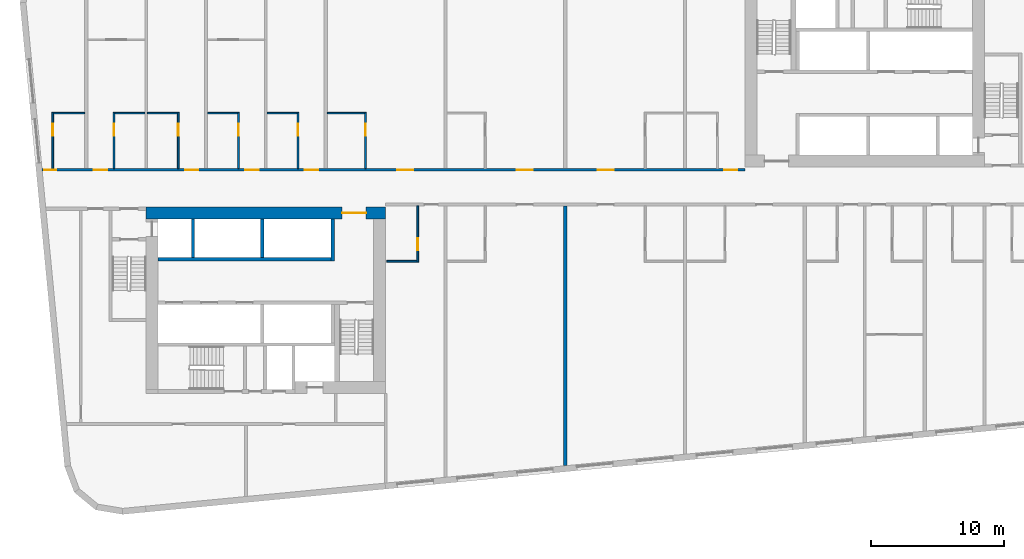
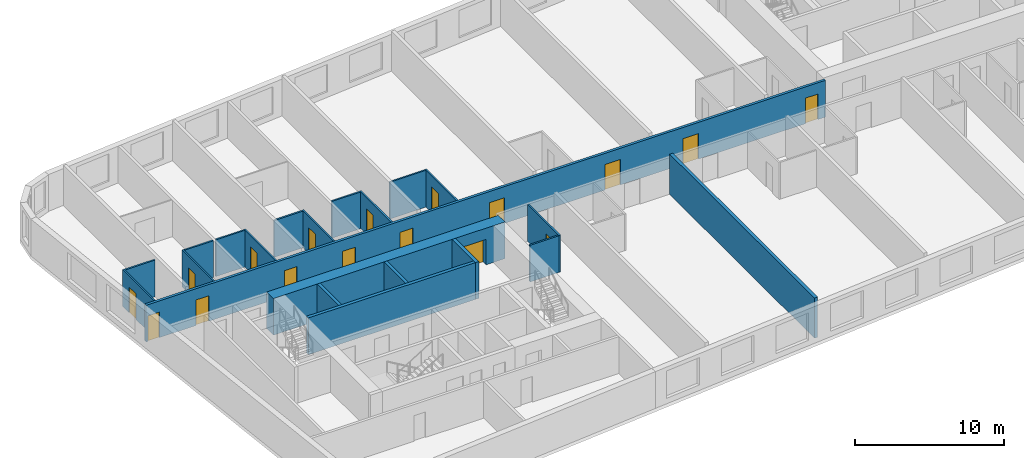
# One storey, part 3 of 12: 21 walls, 17 doors, 17 openings.
"""IFC4 building model written with IfcOpenShell, lengths in metres."""

from ifc_helpers import new_model, si_unit, direction, frame, frame_2d, origin, place, context, subcontext, project, spatial, rectangle, extrude, material, layer, layer_set, type_object, element, fill, save


model = new_model("IFC4")

# Units and contexts
model_context = context("Model", 3, precision=1e-05, world=origin(), true_north=direction((0.0, 1.0)))
body_context = subcontext(model_context, "Body", "Model", "MODEL_VIEW")
ifc_project = project(units=[si_unit("LENGTHUNIT", "METRE"), si_unit("AREAUNIT", "SQUARE_METRE"), si_unit("VOLUMEUNIT", "CUBIC_METRE"), si_unit("PLANEANGLEUNIT", "RADIAN"), si_unit("MASSUNIT", "GRAM", prefix="KILO")], contexts=[model_context])

# Site, building, storey
site_placement = place(None, origin())
site = spatial("IfcSite", under=ifc_project, at=site_placement, CompositionType="ELEMENT")
building_placement = place(site_placement, origin())
building = spatial("IfcBuilding", under=site, at=building_placement, Name="Kajstack Hotel Tower", CompositionType="ELEMENT")
storey_placement = place(building_placement, frame((0.0, 0.0, 124.0)))
storey = spatial("IfcBuildingStorey", under=building, at=storey_placement, Name="L27", CompositionType="ELEMENT", Elevation=124.0)

# Wall, opening, door
ifc_material_1 = material(Name="Concrete C60/75", Category="concrete")
ifc_layer_1 = layer(ifc_material_1, 0.89990234375)
ifc_layer_set_1 = layer_set([ifc_layer_1], Name="Core wall 900")
wall_type_1 = type_object("IfcWallType", Name="Core wall 900", PredefinedType="SHEAR", material=ifc_layer_set_1)
wall_1_placement = place(storey_placement, frame((-31.5, -1.949951171875, 0.0), z_axis=(0.0, 0.0, 1.0), x_axis=(1.0, 0.0, 0.0)))
wall_1 = element("IfcWall", 1, at=wall_1_placement, inside=storey, type_object=wall_type_1, Name="Core wall W RN", PredefinedType="SHEAR", context=body_context, shape_type="SweptSolid", body=[
    extrude(rectangle(XDim=18.0, YDim=0.89990234375, at=frame_2d((9.0, 0.0))), origin(), (0.0, 0.0, 1.0), 3.02001953125),
])
opening_1_placement = place(wall_1_placement, frame((14.72509765625, 0.0, 0.0)))
opening_1 = element("IfcOpeningElement", 2, at=opening_1_placement, cuts=wall_1, Name="Opening 27W06", PredefinedType="OPENING", context=body_context, shape_type="SweptSolid", body=[
    extrude(rectangle(XDim=1.800048828125, YDim=2.10009765625, at=frame_2d((0.89990234375, 1.050048828125))), frame((0.0, 0.4599609375, 0.0), z_axis=(0.0, -1.0, 0.0), x_axis=(1.0, 0.0, 0.0)), (0.0, 0.0, 1.0), 0.919921875),
])
ifc_material_2 = material(Name="Glazed steel frame, fire-rated glass", Category="steel")
door_type_1 = type_object("IfcDoorType", Name="Lobby double door 1800", OperationType="DOUBLE_DOOR_DOUBLE_SWING", PredefinedType="DOOR", material=ifc_material_2)
door_1_placement = place(opening_1_placement, origin())
door_1 = element("IfcDoor", 3, at=door_1_placement, inside=storey, type_object=door_type_1, Name="Door 27W06", OperationType="DOUBLE_DOOR_DOUBLE_SWING", OverallHeight=2.10009765625, OverallWidth=1.800048828125, PredefinedType="DOOR", context=body_context, shape_type="SweptSolid", body=[
    extrude(rectangle(XDim=1.800048828125, YDim=2.10009765625, at=frame_2d((0.89990234375, 1.050048828125))), frame((0.0, 0.02490234375, 0.0), z_axis=(0.0, -1.0, 0.0), x_axis=(1.0, 0.0, 0.0)), (0.0, 0.0, 1.0), 0.050048828125),
])
fill(opening_1, door_1)

# Wall, openings, doors
ifc_material_3 = material(Name="Gypsum board on steel studs, mineral wool", Category="steel")
ifc_layer_2 = layer(ifc_material_3, 0.199951171875)
ifc_layer_set_2 = layer_set([ifc_layer_2], Name="Corridor wall 200")
wall_type_2 = type_object("IfcWallType", Name="Corridor wall 200", PredefinedType="PARTITIONING", material=ifc_layer_set_2)
wall_2_placement = place(storey_placement, frame((-39.31591796875, 1.300048828125, 0.0), z_axis=(0.0, 0.0, 1.0), x_axis=(1.0, 0.0, 0.0)))
wall_2 = element("IfcWall", 4, at=wall_2_placement, inside=storey, type_object=wall_type_2, Name="G-wall-L27-003", PredefinedType="PARTITIONING", context=body_context, shape_type="SweptSolid", body=[
    extrude(rectangle(XDim=52.81591796875, YDim=0.199951171875, at=frame_2d((26.407958984375, 0.0))), origin(), (0.0, 0.0, 1.0), 3.02001953125),
])
opening_2_placement = place(wall_2_placement, frame((0.14990234375, 0.0, 0.0)))
opening_2 = element("IfcOpeningElement", 5, at=opening_2_placement, cuts=wall_2, Name="Opening 27001", PredefinedType="OPENING", context=body_context, shape_type="SweptSolid", body=[
    extrude(rectangle(XDim=0.89990234375, YDim=2.10009765625, at=frame_2d((0.449951171875, 1.050048828125))), frame((0.0, 0.10986328125, 0.0), z_axis=(0.0, -1.0, 0.0), x_axis=(1.0, 0.0, 0.0)), (0.0, 0.0, 1.0), 0.219970703125),
])
opening_3_placement = place(wall_2_placement, frame((3.89111328125, 0.0, 0.0)))
opening_3 = element("IfcOpeningElement", 6, at=opening_3_placement, cuts=wall_2, Name="Opening 27003", PredefinedType="OPENING", context=body_context, shape_type="SweptSolid", body=[
    extrude(rectangle(XDim=1.0, YDim=2.10009765625, at=frame_2d((0.5, 1.050048828125))), frame((0.0, 0.10986328125, 0.0), z_axis=(0.0, -1.0, 0.0), x_axis=(1.0, 0.0, 0.0)), (0.0, 0.0, 1.0), 0.219970703125),
])
opening_4_placement = place(wall_2_placement, frame((10.740966796875, 0.0, 0.0)))
opening_4 = element("IfcOpeningElement", 7, at=opening_4_placement, cuts=wall_2, Name="Opening 27006", PredefinedType="OPENING", context=body_context, shape_type="SweptSolid", body=[
    extrude(rectangle(XDim=1.0, YDim=2.10009765625, at=frame_2d((0.5, 1.050048828125))), frame((0.0, 0.10986328125, 0.0), z_axis=(0.0, -1.0, 0.0), x_axis=(1.0, 0.0, 0.0)), (0.0, 0.0, 1.0), 0.219970703125),
])
opening_5_placement = place(wall_2_placement, frame((15.26611328125, 0.0, 0.0)))
opening_5 = element("IfcOpeningElement", 8, at=opening_5_placement, cuts=wall_2, Name="Opening 27008", PredefinedType="OPENING", context=body_context, shape_type="SweptSolid", body=[
    extrude(rectangle(XDim=1.0, YDim=2.10009765625, at=frame_2d((0.5, 1.050048828125))), frame((0.0, 0.10986328125, 0.0), z_axis=(0.0, -1.0, 0.0), x_axis=(1.0, 0.0, 0.0)), (0.0, 0.0, 1.0), 0.219970703125),
])
opening_6_placement = place(wall_2_placement, frame((19.740966796875, 0.0, 0.0)))
opening_6 = element("IfcOpeningElement", 9, at=opening_6_placement, cuts=wall_2, Name="Opening 27011", PredefinedType="OPENING", context=body_context, shape_type="SweptSolid", body=[
    extrude(rectangle(XDim=1.0, YDim=2.10009765625, at=frame_2d((0.5, 1.050048828125))), frame((0.0, 0.10986328125, 0.0), z_axis=(0.0, -1.0, 0.0), x_axis=(1.0, 0.0, 0.0)), (0.0, 0.0, 1.0), 0.219970703125),
])
opening_7_placement = place(wall_2_placement, frame((26.677978515625, 0.0, 0.0)))
opening_7 = element("IfcOpeningElement", 10, at=opening_7_placement, cuts=wall_2, Name="Opening 27013", PredefinedType="OPENING", context=body_context, shape_type="SweptSolid", body=[
    extrude(rectangle(XDim=1.199951171875, YDim=2.10009765625, at=frame_2d((0.60009765625, 1.050048828125))), frame((0.0, 0.10986328125, 0.0), z_axis=(0.0, -1.0, 0.0), x_axis=(1.0, 0.0, 0.0)), (0.0, 0.0, 1.0), 0.219970703125),
])
opening_8_placement = place(wall_2_placement, frame((35.677978515625, 0.0, 0.0)))
opening_8 = element("IfcOpeningElement", 11, at=opening_8_placement, cuts=wall_2, Name="Opening 27015", PredefinedType="OPENING", context=body_context, shape_type="SweptSolid", body=[
    extrude(rectangle(XDim=1.199951171875, YDim=2.10009765625, at=frame_2d((0.60009765625, 1.050048828125))), frame((0.0, 0.10986328125, 0.0), z_axis=(0.0, -1.0, 0.0), x_axis=(1.0, 0.0, 0.0)), (0.0, 0.0, 1.0), 0.219970703125),
])
opening_9_placement = place(wall_2_placement, frame((41.75390625, 0.0, 0.0)))
opening_9 = element("IfcOpeningElement", 12, at=opening_9_placement, cuts=wall_2, Name="Opening 27017", PredefinedType="OPENING", context=body_context, shape_type="SweptSolid", body=[
    extrude(rectangle(XDim=1.199951171875, YDim=2.10009765625, at=frame_2d((0.60009765625, 1.050048828125))), frame((0.0, 0.10986328125, 0.0), z_axis=(0.0, -1.0, 0.0), x_axis=(1.0, 0.0, 0.0)), (0.0, 0.0, 1.0), 0.219970703125),
])
opening_10_placement = place(wall_2_placement, frame((51.240966796875, 0.0, 0.0)))
opening_10 = element("IfcOpeningElement", 13, at=opening_10_placement, cuts=wall_2, Name="Opening 27019", PredefinedType="OPENING", context=body_context, shape_type="SweptSolid", body=[
    extrude(rectangle(XDim=1.0, YDim=2.10009765625, at=frame_2d((0.5, 1.050048828125))), frame((0.0, 0.10986328125, 0.0), z_axis=(0.0, -1.0, 0.0), x_axis=(1.0, 0.0, 0.0)), (0.0, 0.0, 1.0), 0.219970703125),
])
ifc_material_4 = material(Name="Oak veneer on timber core, fire-rated leaf", Category="wood")
door_type_2 = type_object("IfcDoorType", Name="Flat entrance door 1000", OperationType="SINGLE_SWING_LEFT", PredefinedType="DOOR", material=ifc_material_4)
door_2_placement = place(opening_3_placement, origin())
door_2 = element("IfcDoor", 14, at=door_2_placement, inside=storey, type_object=door_type_2, Name="G-door-L27-03", OperationType="SINGLE_SWING_LEFT", OverallHeight=2.10009765625, OverallWidth=1.0, PredefinedType="DOOR", context=body_context, shape_type="SweptSolid", body=[
    extrude(rectangle(XDim=1.0, YDim=2.10009765625, at=frame_2d((0.5, 1.050048828125))), frame((0.0, 0.02490234375, 0.0), z_axis=(0.0, -1.0, 0.0), x_axis=(1.0, 0.0, 0.0)), (0.0, 0.0, 1.0), 0.050048828125),
])
fill(opening_3, door_2)
door_3_placement = place(opening_4_placement, origin())
door_3 = element("IfcDoor", 15, at=door_3_placement, inside=storey, type_object=door_type_2, Name="G-door-L27-06", OperationType="SINGLE_SWING_LEFT", OverallHeight=2.10009765625, OverallWidth=1.0, PredefinedType="DOOR", context=body_context, shape_type="SweptSolid", body=[
    extrude(rectangle(XDim=1.0, YDim=2.10009765625, at=frame_2d((0.5, 1.050048828125))), frame((0.0, 0.02490234375, 0.0), z_axis=(0.0, -1.0, 0.0), x_axis=(1.0, 0.0, 0.0)), (0.0, 0.0, 1.0), 0.050048828125),
])
fill(opening_4, door_3)
door_4_placement = place(opening_5_placement, origin())
door_4 = element("IfcDoor", 16, at=door_4_placement, inside=storey, type_object=door_type_2, Name="G-door-L27-08", OperationType="SINGLE_SWING_RIGHT", OverallHeight=2.10009765625, OverallWidth=1.0, PredefinedType="DOOR", context=body_context, shape_type="SweptSolid", body=[
    extrude(rectangle(XDim=1.0, YDim=2.10009765625, at=frame_2d((0.5, 1.050048828125))), frame((0.0, 0.02490234375, 0.0), z_axis=(0.0, -1.0, 0.0), x_axis=(1.0, 0.0, 0.0)), (0.0, 0.0, 1.0), 0.050048828125),
])
fill(opening_5, door_4)
door_5_placement = place(opening_6_placement, origin())
door_5 = element("IfcDoor", 17, at=door_5_placement, inside=storey, type_object=door_type_2, Name="G-door-L27-11", OperationType="SINGLE_SWING_RIGHT", OverallHeight=2.10009765625, OverallWidth=1.0, PredefinedType="DOOR", context=body_context, shape_type="SweptSolid", body=[
    extrude(rectangle(XDim=1.0, YDim=2.10009765625, at=frame_2d((0.5, 1.050048828125))), frame((0.0, 0.02490234375, 0.0), z_axis=(0.0, -1.0, 0.0), x_axis=(1.0, 0.0, 0.0)), (0.0, 0.0, 1.0), 0.050048828125),
])
fill(opening_6, door_5)
door_6_placement = place(opening_10_placement, origin())
door_6 = element("IfcDoor", 18, at=door_6_placement, inside=storey, type_object=door_type_2, Name="G-door-L27-19", OperationType="SINGLE_SWING_RIGHT", OverallHeight=2.10009765625, OverallWidth=1.0, PredefinedType="DOOR", context=body_context, shape_type="SweptSolid", body=[
    extrude(rectangle(XDim=1.0, YDim=2.10009765625, at=frame_2d((0.5, 1.050048828125))), frame((0.0, 0.02490234375, 0.0), z_axis=(0.0, -1.0, 0.0), x_axis=(1.0, 0.0, 0.0)), (0.0, 0.0, 1.0), 0.050048828125),
])
fill(opening_10, door_6)
door_type_3 = type_object("IfcDoorType", Name="Flat entrance door 1200", OperationType="SINGLE_SWING_LEFT", PredefinedType="DOOR", material=ifc_material_4)
door_7_placement = place(opening_7_placement, origin())
door_7 = element("IfcDoor", 19, at=door_7_placement, inside=storey, type_object=door_type_3, Name="G-door-L27-13", OperationType="SINGLE_SWING_RIGHT", OverallHeight=2.10009765625, OverallWidth=1.199951171875, PredefinedType="DOOR", context=body_context, shape_type="SweptSolid", body=[
    extrude(rectangle(XDim=1.199951171875, YDim=2.10009765625, at=frame_2d((0.60009765625, 1.050048828125))), frame((0.0, 0.02490234375, 0.0), z_axis=(0.0, -1.0, 0.0), x_axis=(1.0, 0.0, 0.0)), (0.0, 0.0, 1.0), 0.050048828125),
])
fill(opening_7, door_7)
door_8_placement = place(opening_8_placement, origin())
door_8 = element("IfcDoor", 20, at=door_8_placement, inside=storey, type_object=door_type_3, Name="G-door-L27-15", OperationType="SINGLE_SWING_LEFT", OverallHeight=2.10009765625, OverallWidth=1.199951171875, PredefinedType="DOOR", context=body_context, shape_type="SweptSolid", body=[
    extrude(rectangle(XDim=1.199951171875, YDim=2.10009765625, at=frame_2d((0.60009765625, 1.050048828125))), frame((0.0, 0.02490234375, 0.0), z_axis=(0.0, -1.0, 0.0), x_axis=(1.0, 0.0, 0.0)), (0.0, 0.0, 1.0), 0.050048828125),
])
fill(opening_8, door_8)
door_9_placement = place(opening_9_placement, origin())
door_9 = element("IfcDoor", 21, at=door_9_placement, inside=storey, type_object=door_type_3, Name="G-door-L27-17", OperationType="SINGLE_SWING_RIGHT", OverallHeight=2.10009765625, OverallWidth=1.199951171875, PredefinedType="DOOR", context=body_context, shape_type="SweptSolid", body=[
    extrude(rectangle(XDim=1.199951171875, YDim=2.10009765625, at=frame_2d((0.60009765625, 1.050048828125))), frame((0.0, 0.02490234375, 0.0), z_axis=(0.0, -1.0, 0.0), x_axis=(1.0, 0.0, 0.0)), (0.0, 0.0, 1.0), 0.050048828125),
])
fill(opening_9, door_9)
ifc_material_5 = material(Name="Painted timber door leaf", Category="wood")
door_type_4 = type_object("IfcDoorType", Name="Room door 900", OperationType="SINGLE_SWING_LEFT", PredefinedType="DOOR", material=ifc_material_5)
door_10_placement = place(opening_2_placement, origin())
door_10 = element("IfcDoor", 22, at=door_10_placement, inside=storey, type_object=door_type_4, Name="G-door-L27-01", OperationType="SINGLE_SWING_LEFT", OverallHeight=2.10009765625, OverallWidth=0.89990234375, PredefinedType="DOOR", context=body_context, shape_type="SweptSolid", body=[
    extrude(rectangle(XDim=0.89990234375, YDim=2.10009765625, at=frame_2d((0.449951171875, 1.050048828125))), frame((0.0, 0.02490234375, 0.0), z_axis=(0.0, -1.0, 0.0), x_axis=(1.0, 0.0, 0.0)), (0.0, 0.0, 1.0), 0.050048828125),
])
fill(opening_2, door_10)

# Wall, opening, door
ifc_material_6 = material(Name="Gypsum board and tiled backer on steel studs", Category="steel")
ifc_layer_3 = layer(ifc_material_6, 0.125)
ifc_layer_set_3 = layer_set([ifc_layer_3], Name="En-suite wall 125")
wall_type_3 = type_object("IfcWallType", Name="En-suite wall 125", PredefinedType="PARTITIONING", material=ifc_layer_set_3)
wall_3_placement = place(storey_placement, frame((-38.51904296875, 1.39990234375, 0.0), z_axis=(0.0, 0.0, 1.0), x_axis=(0.0, 1.0, 0.0)))
wall_3 = element("IfcWall", 23, at=wall_3_placement, inside=storey, type_object=wall_type_3, Name="G-wall-L27-004", PredefinedType="PARTITIONING", context=body_context, shape_type="SweptSolid", body=[
    extrude(rectangle(XDim=4.22509765625, YDim=0.125, at=frame_2d((2.112548828125, 0.0))), origin(), (0.0, 0.0, 1.0), 3.02001953125),
])
opening_11_placement = place(wall_3_placement, frame((2.449951171875, 0.0, 0.0)))
opening_11 = element("IfcOpeningElement", 24, at=opening_11_placement, cuts=wall_3, Name="Opening 27002", PredefinedType="OPENING", context=body_context, shape_type="SweptSolid", body=[
    extrude(rectangle(XDim=0.89990234375, YDim=2.10009765625, at=frame_2d((0.449951171875, 1.050048828125))), frame((0.0, 0.072509765625, 0.0), z_axis=(0.0, -1.0, 0.0), x_axis=(1.0, 0.0, 0.0)), (0.0, 0.0, 1.0), 0.14501953125),
])
door_11_placement = place(opening_11_placement, origin())
door_11 = element("IfcDoor", 25, at=door_11_placement, inside=storey, type_object=door_type_4, Name="G-door-L27-02", OperationType="SINGLE_SWING_RIGHT", OverallHeight=2.10009765625, OverallWidth=0.89990234375, PredefinedType="DOOR", context=body_context, shape_type="SweptSolid", body=[
    extrude(rectangle(XDim=0.89990234375, YDim=2.10009765625, at=frame_2d((0.449951171875, 1.050048828125))), frame((0.0, 0.02490234375, 0.0), z_axis=(0.0, -1.0, 0.0), x_axis=(1.0, 0.0, 0.0)), (0.0, 0.0, 1.0), 0.050048828125),
])
fill(opening_11, door_11)

# Wall
wall_4_placement = place(storey_placement, frame((-38.45703125, 5.56201171875, 0.0), z_axis=(0.0, 0.0, 1.0), x_axis=(1.0, 0.0, 0.0)))
element("IfcWall", 26, at=wall_4_placement, inside=storey, type_object=wall_type_3, Name="G-wall-L27-005", PredefinedType="PARTITIONING", context=body_context, shape_type="SweptSolid", body=[
    extrude(rectangle(XDim=2.33203125, YDim=0.125, at=frame_2d((1.166015625, 0.0))), origin(), (0.0, 0.0, 1.0), 3.02001953125),
])

# Wall, opening, door
wall_5_placement = place(storey_placement, frame((-33.9130859375, 1.39990234375, 0.0), z_axis=(0.0, 0.0, 1.0), x_axis=(0.0, 1.0, 0.0)))
wall_5 = element("IfcWall", 27, at=wall_5_placement, inside=storey, type_object=wall_type_3, Name="G-wall-L27-007", PredefinedType="PARTITIONING", context=body_context, shape_type="SweptSolid", body=[
    extrude(rectangle(XDim=4.22509765625, YDim=0.125, at=frame_2d((2.112548828125, 0.0))), origin(), (0.0, 0.0, 1.0), 3.02001953125),
])
opening_12_placement = place(wall_5_placement, frame((2.449951171875, 0.0, 0.0)))
opening_12 = element("IfcOpeningElement", 28, at=opening_12_placement, cuts=wall_5, Name="Opening 27004", PredefinedType="OPENING", context=body_context, shape_type="SweptSolid", body=[
    extrude(rectangle(XDim=0.89990234375, YDim=2.10009765625, at=frame_2d((0.449951171875, 1.050048828125))), frame((0.0, 0.072509765625, 0.0), z_axis=(0.0, -1.0, 0.0), x_axis=(1.0, 0.0, 0.0)), (0.0, 0.0, 1.0), 0.14501953125),
])
door_12_placement = place(opening_12_placement, origin())
door_12 = element("IfcDoor", 29, at=door_12_placement, inside=storey, type_object=door_type_4, Name="G-door-L27-04", OperationType="SINGLE_SWING_RIGHT", OverallHeight=2.10009765625, OverallWidth=0.89990234375, PredefinedType="DOOR", context=body_context, shape_type="SweptSolid", body=[
    extrude(rectangle(XDim=0.89990234375, YDim=2.10009765625, at=frame_2d((0.449951171875, 1.050048828125))), frame((0.0, 0.02490234375, 0.0), z_axis=(0.0, -1.0, 0.0), x_axis=(1.0, 0.0, 0.0)), (0.0, 0.0, 1.0), 0.050048828125),
])
fill(opening_12, door_12)

# Wall
wall_6_placement = place(storey_placement, frame((-33.85009765625, 5.56201171875, 0.0), z_axis=(0.0, 0.0, 1.0), x_axis=(1.0, 0.0, 0.0)))
element("IfcWall", 30, at=wall_6_placement, inside=storey, type_object=wall_type_3, Name="G-wall-L27-008", PredefinedType="PARTITIONING", context=body_context, shape_type="SweptSolid", body=[
    extrude(rectangle(XDim=2.25, YDim=0.125, at=frame_2d((1.125, 0.0))), origin(), (0.0, 0.0, 1.0), 3.02001953125),
])

# Wall, opening, door
wall_7_placement = place(storey_placement, frame((-29.0869140625, 1.39990234375, 0.0), z_axis=(0.0, 0.0, 1.0), x_axis=(0.0, 1.0, 0.0)))
wall_7 = element("IfcWall", 31, at=wall_7_placement, inside=storey, type_object=wall_type_3, Name="G-wall-L27-010", PredefinedType="PARTITIONING", context=body_context, shape_type="SweptSolid", body=[
    extrude(rectangle(XDim=4.22509765625, YDim=0.125, at=frame_2d((2.112548828125, 0.0))), origin(), (0.0, 0.0, 1.0), 3.02001953125),
])
opening_13_placement = place(wall_7_placement, frame((2.449951171875, 0.0, 0.0)))
opening_13 = element("IfcOpeningElement", 32, at=opening_13_placement, cuts=wall_7, Name="Opening 27007", PredefinedType="OPENING", context=body_context, shape_type="SweptSolid", body=[
    extrude(rectangle(XDim=0.89990234375, YDim=2.10009765625, at=frame_2d((0.449951171875, 1.050048828125))), frame((0.0, 0.072509765625, 0.0), z_axis=(0.0, -1.0, 0.0), x_axis=(1.0, 0.0, 0.0)), (0.0, 0.0, 1.0), 0.14501953125),
])
door_13_placement = place(opening_13_placement, origin())
door_13 = element("IfcDoor", 33, at=door_13_placement, inside=storey, type_object=door_type_4, Name="G-door-L27-07", OperationType="SINGLE_SWING_RIGHT", OverallHeight=2.10009765625, OverallWidth=0.89990234375, PredefinedType="DOOR", context=body_context, shape_type="SweptSolid", body=[
    extrude(rectangle(XDim=0.89990234375, YDim=2.10009765625, at=frame_2d((0.449951171875, 1.050048828125))), frame((0.0, 0.02490234375, 0.0), z_axis=(0.0, -1.0, 0.0), x_axis=(1.0, 0.0, 0.0)), (0.0, 0.0, 1.0), 0.050048828125),
])
fill(opening_13, door_13)

# Wall
wall_8_placement = place(storey_placement, frame((-31.39990234375, 5.56201171875, 0.0), z_axis=(0.0, 0.0, 1.0), x_axis=(1.0, 0.0, 0.0)))
element("IfcWall", 34, at=wall_8_placement, inside=storey, type_object=wall_type_3, Name="G-wall-L27-011", PredefinedType="PARTITIONING", context=body_context, shape_type="SweptSolid", body=[
    extrude(rectangle(XDim=2.25, YDim=0.125, at=frame_2d((1.125, 0.0))), origin(), (0.0, 0.0, 1.0), 3.02001953125),
])

# Wall, opening, door
wall_9_placement = place(storey_placement, frame((-24.56201171875, 1.39990234375, 0.0), z_axis=(0.0, 0.0, 1.0), x_axis=(0.0, 1.0, 0.0)))
wall_9 = element("IfcWall", 35, at=wall_9_placement, inside=storey, type_object=wall_type_3, Name="G-wall-L27-013", PredefinedType="PARTITIONING", context=body_context, shape_type="SweptSolid", body=[
    extrude(rectangle(XDim=4.22509765625, YDim=0.125, at=frame_2d((2.112548828125, 0.0))), origin(), (0.0, 0.0, 1.0), 3.02001953125),
])
opening_14_placement = place(wall_9_placement, frame((2.449951171875, 0.0, 0.0)))
opening_14 = element("IfcOpeningElement", 36, at=opening_14_placement, cuts=wall_9, Name="Opening 27009", PredefinedType="OPENING", context=body_context, shape_type="SweptSolid", body=[
    extrude(rectangle(XDim=0.89990234375, YDim=2.10009765625, at=frame_2d((0.449951171875, 1.050048828125))), frame((0.0, 0.072509765625, 0.0), z_axis=(0.0, -1.0, 0.0), x_axis=(1.0, 0.0, 0.0)), (0.0, 0.0, 1.0), 0.14501953125),
])
door_14_placement = place(opening_14_placement, origin())
door_14 = element("IfcDoor", 37, at=door_14_placement, inside=storey, type_object=door_type_4, Name="G-door-L27-09", OperationType="SINGLE_SWING_LEFT", OverallHeight=2.10009765625, OverallWidth=0.89990234375, PredefinedType="DOOR", context=body_context, shape_type="SweptSolid", body=[
    extrude(rectangle(XDim=0.89990234375, YDim=2.10009765625, at=frame_2d((0.449951171875, 1.050048828125))), frame((0.0, 0.02490234375, 0.0), z_axis=(0.0, -1.0, 0.0), x_axis=(1.0, 0.0, 0.0)), (0.0, 0.0, 1.0), 0.050048828125),
])
fill(opening_14, door_14)

# Wall
wall_10_placement = place(storey_placement, frame((-26.875, 5.56201171875, 0.0), z_axis=(0.0, 0.0, 1.0), x_axis=(1.0, 0.0, 0.0)))
element("IfcWall", 38, at=wall_10_placement, inside=storey, type_object=wall_type_3, Name="G-wall-L27-014", PredefinedType="PARTITIONING", context=body_context, shape_type="SweptSolid", body=[
    extrude(rectangle(XDim=2.25, YDim=0.125, at=frame_2d((1.125, 0.0))), origin(), (0.0, 0.0, 1.0), 3.02001953125),
])

# Wall, opening, door
wall_11_placement = place(storey_placement, frame((-20.0869140625, 1.39990234375, 0.0), z_axis=(0.0, 0.0, 1.0), x_axis=(0.0, 1.0, 0.0)))
wall_11 = element("IfcWall", 39, at=wall_11_placement, inside=storey, type_object=wall_type_3, Name="G-wall-L27-016", PredefinedType="PARTITIONING", context=body_context, shape_type="SweptSolid", body=[
    extrude(rectangle(XDim=4.22509765625, YDim=0.125, at=frame_2d((2.112548828125, 0.0))), origin(), (0.0, 0.0, 1.0), 3.02001953125),
])
opening_15_placement = place(wall_11_placement, frame((2.449951171875, 0.0, 0.0)))
opening_15 = element("IfcOpeningElement", 40, at=opening_15_placement, cuts=wall_11, Name="Opening 27012", PredefinedType="OPENING", context=body_context, shape_type="SweptSolid", body=[
    extrude(rectangle(XDim=0.89990234375, YDim=2.10009765625, at=frame_2d((0.449951171875, 1.050048828125))), frame((0.0, 0.072509765625, 0.0), z_axis=(0.0, -1.0, 0.0), x_axis=(1.0, 0.0, 0.0)), (0.0, 0.0, 1.0), 0.14501953125),
])
door_15_placement = place(opening_15_placement, origin())
door_15 = element("IfcDoor", 41, at=door_15_placement, inside=storey, type_object=door_type_4, Name="G-door-L27-12", OperationType="SINGLE_SWING_LEFT", OverallHeight=2.10009765625, OverallWidth=0.89990234375, PredefinedType="DOOR", context=body_context, shape_type="SweptSolid", body=[
    extrude(rectangle(XDim=0.89990234375, YDim=2.10009765625, at=frame_2d((0.449951171875, 1.050048828125))), frame((0.0, 0.02490234375, 0.0), z_axis=(0.0, -1.0, 0.0), x_axis=(1.0, 0.0, 0.0)), (0.0, 0.0, 1.0), 0.050048828125),
])
fill(opening_15, door_15)

# Wall
wall_12_placement = place(storey_placement, frame((-22.39990234375, 5.56201171875, 0.0), z_axis=(0.0, 0.0, 1.0), x_axis=(1.0, 0.0, 0.0)))
element("IfcWall", 42, at=wall_12_placement, inside=storey, type_object=wall_type_3, Name="G-wall-L27-017", PredefinedType="PARTITIONING", context=body_context, shape_type="SweptSolid", body=[
    extrude(rectangle(XDim=2.25, YDim=0.125, at=frame_2d((1.125, 0.0))), origin(), (0.0, 0.0, 1.0), 3.02001953125),
])

# Wall, opening, door
wall_13_placement = place(storey_placement, frame((-15.011962890625, 1.39990234375, 0.0), z_axis=(0.0, 0.0, 1.0), x_axis=(0.0, 1.0, 0.0)))
wall_13 = element("IfcWall", 43, at=wall_13_placement, inside=storey, type_object=wall_type_3, Name="G-wall-L27-018", PredefinedType="PARTITIONING", context=body_context, shape_type="SweptSolid", body=[
    extrude(rectangle(XDim=4.22509765625, YDim=0.125, at=frame_2d((2.112548828125, 0.0))), origin(), (0.0, 0.0, 1.0), 3.02001953125),
])
opening_16_placement = place(wall_13_placement, frame((2.449951171875, 0.0, 0.0)))
opening_16 = element("IfcOpeningElement", 44, at=opening_16_placement, cuts=wall_13, Name="Opening 27014", PredefinedType="OPENING", context=body_context, shape_type="SweptSolid", body=[
    extrude(rectangle(XDim=0.89990234375, YDim=2.10009765625, at=frame_2d((0.449951171875, 1.050048828125))), frame((0.0, 0.072509765625, 0.0), z_axis=(0.0, -1.0, 0.0), x_axis=(1.0, 0.0, 0.0)), (0.0, 0.0, 1.0), 0.14501953125),
])
door_16_placement = place(opening_16_placement, origin())
door_16 = element("IfcDoor", 45, at=door_16_placement, inside=storey, type_object=door_type_4, Name="G-door-L27-14", OperationType="SINGLE_SWING_LEFT", OverallHeight=2.10009765625, OverallWidth=0.89990234375, PredefinedType="DOOR", context=body_context, shape_type="SweptSolid", body=[
    extrude(rectangle(XDim=0.89990234375, YDim=2.10009765625, at=frame_2d((0.449951171875, 1.050048828125))), frame((0.0, 0.02490234375, 0.0), z_axis=(0.0, -1.0, 0.0), x_axis=(1.0, 0.0, 0.0)), (0.0, 0.0, 1.0), 0.050048828125),
])
fill(opening_16, door_16)

# Wall
wall_14_placement = place(storey_placement, frame((-17.875, 5.56201171875, 0.0), z_axis=(0.0, 0.0, 1.0), x_axis=(1.0, 0.0, 0.0)))
element("IfcWall", 46, at=wall_14_placement, inside=storey, type_object=wall_type_3, Name="G-wall-L27-019", PredefinedType="PARTITIONING", context=body_context, shape_type="SweptSolid", body=[
    extrude(rectangle(XDim=2.800048828125, YDim=0.125, at=frame_2d((1.39990234375, 0.0))), origin(), (0.0, 0.0, 1.0), 3.02001953125),
])

# Wall, opening, door
wall_15_placement = place(storey_placement, frame((-11.087890625, -5.625, 0.0), z_axis=(0.0, 0.0, 1.0), x_axis=(0.0, 1.0, 0.0)))
wall_15 = element("IfcWall", 47, at=wall_15_placement, inside=storey, type_object=wall_type_3, Name="G-wall-L27-027", PredefinedType="PARTITIONING", context=body_context, shape_type="SweptSolid", body=[
    extrude(rectangle(XDim=4.22509765625, YDim=0.125, at=frame_2d((2.112548828125, 0.0))), origin(), (0.0, 0.0, 1.0), 3.02001953125),
])
opening_17_placement = place(wall_15_placement, frame((0.875, 0.0, 0.0)))
opening_17 = element("IfcOpeningElement", 48, at=opening_17_placement, cuts=wall_15, Name="Opening 27022", PredefinedType="OPENING", context=body_context, shape_type="SweptSolid", body=[
    extrude(rectangle(XDim=0.89990234375, YDim=2.10009765625, at=frame_2d((0.449951171875, 1.050048828125))), frame((0.0, 0.072509765625, 0.0), z_axis=(0.0, -1.0, 0.0), x_axis=(1.0, 0.0, 0.0)), (0.0, 0.0, 1.0), 0.14501953125),
])
door_17_placement = place(opening_17_placement, origin())
door_17 = element("IfcDoor", 49, at=door_17_placement, inside=storey, type_object=door_type_4, Name="G-door-L27-22", OperationType="SINGLE_SWING_LEFT", OverallHeight=2.10009765625, OverallWidth=0.89990234375, PredefinedType="DOOR", context=body_context, shape_type="SweptSolid", body=[
    extrude(rectangle(XDim=0.89990234375, YDim=2.10009765625, at=frame_2d((0.449951171875, 1.050048828125))), frame((0.0, 0.02490234375, 0.0), z_axis=(0.0, -1.0, 0.0), x_axis=(1.0, 0.0, 0.0)), (0.0, 0.0, 1.0), 0.050048828125),
])
fill(opening_17, door_17)

# Walls
wall_16_placement = place(storey_placement, frame((-13.39990234375, -5.56201171875, 0.0), z_axis=(0.0, 0.0, 1.0), x_axis=(1.0, 0.0, 0.0)))
element("IfcWall", 50, at=wall_16_placement, inside=storey, type_object=wall_type_3, Name="G-wall-L27-028", PredefinedType="PARTITIONING", context=body_context, shape_type="SweptSolid", body=[
    extrude(rectangle(XDim=2.25, YDim=0.125, at=frame_2d((1.125, 0.0))), origin(), (0.0, 0.0, 1.0), 3.02001953125),
])
ifc_material_7 = material(Name="Concrete C50/60", Category="concrete")
ifc_layer_4 = layer(ifc_material_7, 0.300048828125)
ifc_layer_set_4 = layer_set([ifc_layer_4], Name="Hoistway divider wall 300")
wall_type_4 = type_object("IfcWallType", Name="Hoistway divider wall 300", PredefinedType="SHEAR", material=ifc_layer_set_4)
wall_17_placement = place(storey_placement, frame((-22.77490234375, -5.300048828125, 0.0), z_axis=(0.0, 0.0, 1.0), x_axis=(0.0, 1.0, 0.0)))
element("IfcWall", 51, at=wall_17_placement, inside=storey, type_object=wall_type_4, Name="Core wall W AP2", PredefinedType="SHEAR", context=body_context, shape_type="SweptSolid", body=[
    extrude(rectangle(XDim=2.900146484375, YDim=0.25, at=frame_2d((1.4501953125, 0.0))), origin(), (0.0, 0.0, 1.0), 3.02001953125),
])
ifc_material_8 = material(Name="Concrete C55/67", Category="concrete")
ifc_layer_5 = layer(ifc_material_8, 0.25)
ifc_layer_set_5 = layer_set([ifc_layer_5], Name="RC cross wall 250 C55/67")
wall_type_5 = type_object("IfcWallType", Name="RC cross wall 250 C55/67", PredefinedType="SHEAR", material=ifc_layer_set_5)
wall_18_placement = place(storey_placement, frame((0.0, -20.910400390625, 0.0), z_axis=(0.0, 0.0, 1.0), x_axis=(0.0, 1.0, 0.0)))
element("IfcWall", 52, at=wall_18_placement, inside=storey, type_object=wall_type_5, Name="S-wall-L27-06", PredefinedType="SHEAR", context=body_context, shape_type="SweptSolid", body=[
    extrude(rectangle(XDim=19.510498046875, YDim=0.25, at=frame_2d((9.75537109375, 0.0))), origin(), (0.0, 0.0, 1.0), 3.300048828125),
])
ifc_layer_6 = layer(ifc_material_7, 0.25)
ifc_layer_set_6 = layer_set([ifc_layer_6], Name="Shaft wall 250")
wall_type_6 = type_object("IfcWallType", Name="Shaft wall 250", PredefinedType="SHEAR", material=ifc_layer_set_6)
wall_19_placement = place(storey_placement, frame((-30.60009765625, -5.425048828125, 0.0), z_axis=(0.0, 0.0, 1.0), x_axis=(1.0, 0.0, 0.0)))
element("IfcWall", 53, at=wall_19_placement, inside=storey, type_object=wall_type_6, Name="Core wall W FA", PredefinedType="SHEAR", context=body_context, shape_type="SweptSolid", body=[
    extrude(rectangle(XDim=13.0, YDim=0.25, at=frame_2d((6.5, 0.0))), origin(), (0.0, 0.0, 1.0), 3.02001953125),
])
wall_20_placement = place(storey_placement, frame((-17.47509765625, -5.550048828125, 0.0), z_axis=(0.0, 0.0, 1.0), x_axis=(0.0, 1.0, 0.0)))
element("IfcWall", 54, at=wall_20_placement, inside=storey, type_object=wall_type_6, Name="Core wall W AE", PredefinedType="SHEAR", context=body_context, shape_type="SweptSolid", body=[
    extrude(rectangle(XDim=3.150146484375, YDim=0.25, at=frame_2d((1.5751953125, 0.0))), origin(), (0.0, 0.0, 1.0), 3.02001953125),
])
wall_21_placement = place(storey_placement, frame((-27.97509765625, -5.300048828125, 0.0), z_axis=(0.0, 0.0, 1.0), x_axis=(0.0, 1.0, 0.0)))
element("IfcWall", 55, at=wall_21_placement, inside=storey, type_object=wall_type_6, Name="Core wall W AP0", PredefinedType="SHEAR", context=body_context, shape_type="SweptSolid", body=[
    extrude(rectangle(XDim=2.900146484375, YDim=0.25, at=frame_2d((1.4501953125, 0.0))), origin(), (0.0, 0.0, 1.0), 3.02001953125),
])

save(model, "model.ifc")
